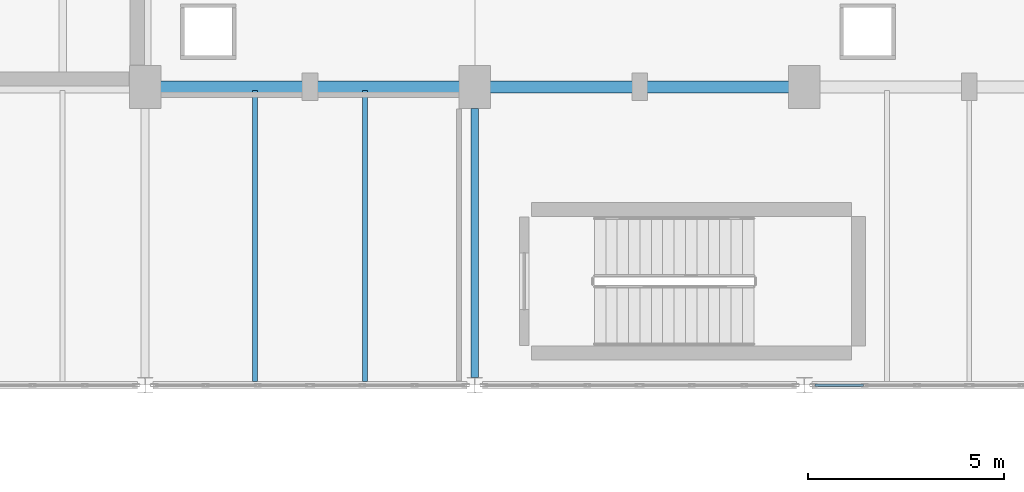
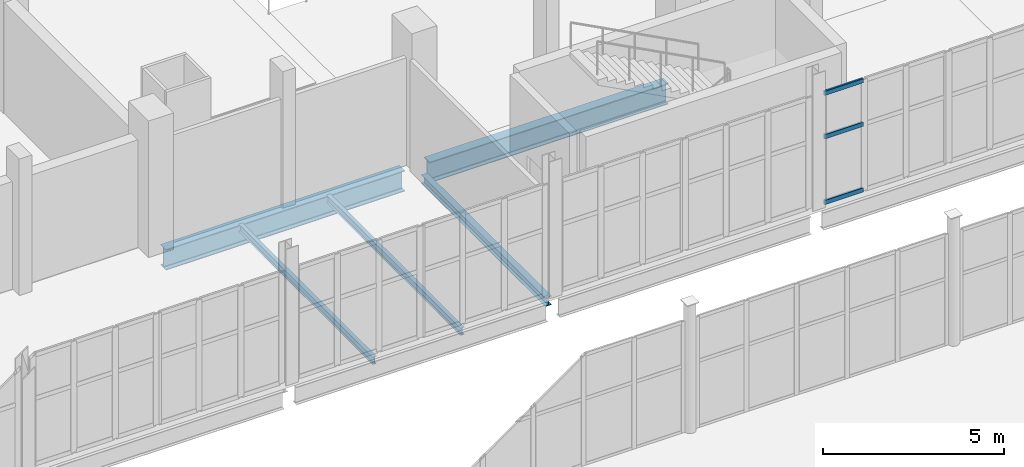
# One storey, part 79 of 172: 5 beams, 3 members, 1 element without a shape of its own.
"""IFC4 building model written with IfcOpenShell, lengths in metres."""

from ifc_helpers import new_model, si_unit, direction, frame, origin, origin_2d, place, context, subcontext, project, spatial, hollow_rectangle, i_section, extrude, material, material_profile, profile_set, type_object, element, aggregate, save


model = new_model("IFC4")

# Units and contexts
model_context = context("Model", 3, precision=1e-05, world=origin(), true_north=direction((0.0, 1.0)))
body_context = subcontext(model_context, "Body", "Model", "MODEL_VIEW")
ifc_project = project(units=[si_unit("LENGTHUNIT", "METRE"), si_unit("AREAUNIT", "SQUARE_METRE"), si_unit("VOLUMEUNIT", "CUBIC_METRE"), si_unit("PLANEANGLEUNIT", "RADIAN"), si_unit("MASSUNIT", "GRAM", prefix="KILO")], contexts=[model_context])

# Site, building, storey
site_placement = place(None, origin())
site = spatial("IfcSite", under=ifc_project, at=site_placement, CompositionType="ELEMENT")
building_placement = place(site_placement, origin())
building = spatial("IfcBuilding", under=site, at=building_placement, Name="Shengluoqiao Park Theatre", CompositionType="ELEMENT")
storey_placement = place(building_placement, frame((0.0, 0.0, 5.39990234375)))
storey = spatial("IfcBuildingStorey", under=building, at=storey_placement, Name="L01", CompositionType="ELEMENT", Elevation=5.39990234375)

# Curtain wall, members
ifc_material_1 = material(Name="Aluminium 6063-T6", Category="aluminium")
curtain_wall_type = type_object("IfcCurtainWallType", Name="ENV-CW-PROM", PredefinedType="NOTDEFINED", material=ifc_material_1)
curtain_wall_placement = place(storey_placement, origin())
curtain_wall = element("IfcCurtainWall", 1, at=curtain_wall_placement, inside=storey, type_object=curtain_wall_type, Name="L01 Curtain Wall CW-L01-0059", PredefinedType="NOTDEFINED")
ifc_material_profile_1 = material_profile(ifc_material_1, hollow_rectangle(XDim=0.06494140625, YDim=0.14990234375, WallThickness=0.00390625, InnerFilletRadius=0.00390625, OuterFilletRadius=0.008056640625, at=origin_2d()), Name="ALU TRANSOM 150x65x4")
ifc_profile_set_1 = profile_set([ifc_material_profile_1], Name="Aluminium 6063-T6")
member_type = type_object("IfcMemberType", Name="ENV-TRN-150", PredefinedType="USERDEFINED", material=ifc_profile_set_1)
member_1_placement = place(storey_placement, frame((78.26904296875, 68.39990234375, 0.03271484375), z_axis=(1.0, 0.0, 0.0), x_axis=(0.0, 1.0, 0.0)))
member_1 = element("IfcMember", 2, at=member_1_placement, type_object=member_type, Name="CW-04 transom 1.1", ObjectType="TRANSOM", PredefinedType="USERDEFINED", context=body_context, shape_type="SweptSolid", body=[
    extrude(hollow_rectangle(XDim=0.06494140625, YDim=0.14990234375, WallThickness=0.00390625, InnerFilletRadius=0.00390625, OuterFilletRadius=0.008056640625, at=origin_2d()), origin(), (0.0, 0.0, 1.0), 1.234375),
])
member_2_placement = place(storey_placement, frame((78.26904296875, 68.39990234375, 2.2451171875), z_axis=(1.0, 0.0, 0.0), x_axis=(0.0, 1.0, 0.0)))
member_2 = element("IfcMember", 3, at=member_2_placement, type_object=member_type, Name="CW-04 transom 1.2", ObjectType="TRANSOM", PredefinedType="USERDEFINED", context=body_context, shape_type="SweptSolid", body=[
    extrude(hollow_rectangle(XDim=0.06494140625, YDim=0.14990234375, WallThickness=0.00390625, InnerFilletRadius=0.00390625, OuterFilletRadius=0.008056640625, at=origin_2d()), origin(), (0.0, 0.0, 1.0), 1.234375),
])
member_3_placement = place(storey_placement, frame((78.26904296875, 68.39990234375, 3.709716796875), z_axis=(1.0, 0.0, 0.0), x_axis=(0.0, 1.0, 0.0)))
member_3 = element("IfcMember", 4, at=member_3_placement, type_object=member_type, Name="CW-04 transom 1.3", ObjectType="TRANSOM", PredefinedType="USERDEFINED", context=body_context, shape_type="SweptSolid", body=[
    extrude(hollow_rectangle(XDim=0.06494140625, YDim=0.14990234375, WallThickness=0.00390625, InnerFilletRadius=0.00390625, OuterFilletRadius=0.008056640625, at=origin_2d()), origin(), (0.0, 0.0, 1.0), 1.234375),
])
aggregate(curtain_wall, [member_1, member_2, member_3])

# Beams
ifc_material_2 = material(Name="Steel Q355", Category="steel")
ifc_material_profile_2 = material_profile(ifc_material_2, i_section(OverallWidth=0.199951171875, OverallDepth=0.2939453125, WebThickness=0.008056640625, FlangeThickness=0.011962890625, FilletRadius=0.01611328125, at=origin_2d()), Name="HM 294x200x8x12")
ifc_profile_set_2 = profile_set([ifc_material_profile_2], Name="Steel Q355")
beam_type_1 = type_object("IfcBeamType", Name="STR-BM-G-HM294", PredefinedType="BEAM", material=ifc_profile_set_2)
beam_placement = place(storey_placement, frame((69.60009765625, 68.60107421875, -0.39697265625), z_axis=(0.0, 1.0, 0.0), x_axis=(-1.0, 0.0, 0.0)))
element("IfcBeam", 5, at=beam_placement, inside=storey, type_object=beam_type_1, Name="L01 Transverse Girder 00504", PredefinedType="BEAM", context=body_context, shape_type="SweptSolid", body=[
    extrude(i_section(OverallWidth=0.199951171875, OverallDepth=0.2939453125, WebThickness=0.008056640625, FlangeThickness=0.011962890625, FilletRadius=0.01611328125, at=origin_2d()), origin(), (0.0, 0.0, 1.0), 6.85498046875),
])
ifc_material_3 = material(Name="Steel Q390", Category="steel")
ifc_material_profile_3 = material_profile(ifc_material_3, i_section(OverallWidth=0.300048828125, OverallDepth=0.699951171875, WebThickness=0.012939453125, FlangeThickness=0.02392578125, FilletRadius=0.02392578125, at=origin_2d()), Name="HN 700x300x13x24")
ifc_profile_set_3 = profile_set([ifc_material_profile_3], Name="Steel Q390")
beam_type_2 = type_object("IfcBeamType", Name="STR-BM-G-HN700", PredefinedType="BEAM", material=ifc_profile_set_3)
for number, where, z_axis, x_axis, name in (
    (6, (61.593994140625, 76.0, -0.599853515625), (1.0, 0.0, 0.0), (0.0, 1.0, 0.0), "L01 Primary Girder 00314"),
    (7, (69.993896484375, 76.0, -0.599853515625), (1.0, 0.0, 0.0), (0.0, 1.0, 0.0), "L01 Primary Girder 00316"),
):
    element("IfcBeam", number, at=place(storey_placement, frame(where, z_axis=z_axis, x_axis=x_axis)), inside=storey, type_object=beam_type_2, Name=name, PredefinedType="BEAM", context=body_context, shape_type="SweptSolid", body=[
        extrude(i_section(OverallWidth=0.300048828125, OverallDepth=0.699951171875, WebThickness=0.012939453125, FlangeThickness=0.02392578125, FilletRadius=0.02392578125, at=origin_2d()), origin(), (0.0, 0.0, 1.0), 7.612060546875),
    ])
ifc_material_profile_4 = material_profile(ifc_material_2, i_section(OverallWidth=0.125, OverallDepth=0.25, WebThickness=0.006103515625, FlangeThickness=0.009033203125, FilletRadius=0.010009765625, at=origin_2d()), Name="HN 250x125x6x9")
ifc_profile_set_4 = profile_set([ifc_material_profile_4], Name="Steel Q355")
beam_type_3 = type_object("IfcBeamType", Name="STR-BM-J-HN250", PredefinedType="JOIST", material=ifc_profile_set_4)
for number, where, z_axis, x_axis, name in (
    (8, (64.0, 68.494384765625, -0.364990234375), (0.0, 1.0, 0.0), (-1.0, 0.0, 0.0), "L01 Composite Joist 00511"),
    (9, (66.800048828125, 68.494384765625, -0.364990234375), (0.0, 1.0, 0.0), (-1.0, 0.0, 0.0), "L01 Composite Joist 00512"),
):
    element("IfcBeam", number, at=place(storey_placement, frame(where, z_axis=z_axis, x_axis=x_axis)), inside=storey, type_object=beam_type_3, Name=name, PredefinedType="JOIST", context=body_context, shape_type="SweptSolid", body=[
        extrude(i_section(OverallWidth=0.125, OverallDepth=0.25, WebThickness=0.006103515625, FlangeThickness=0.009033203125, FilletRadius=0.010009765625, at=origin_2d()), origin(), (0.0, 0.0, 1.0), 7.4111328125),
    ])

save(model, "model.ifc")
